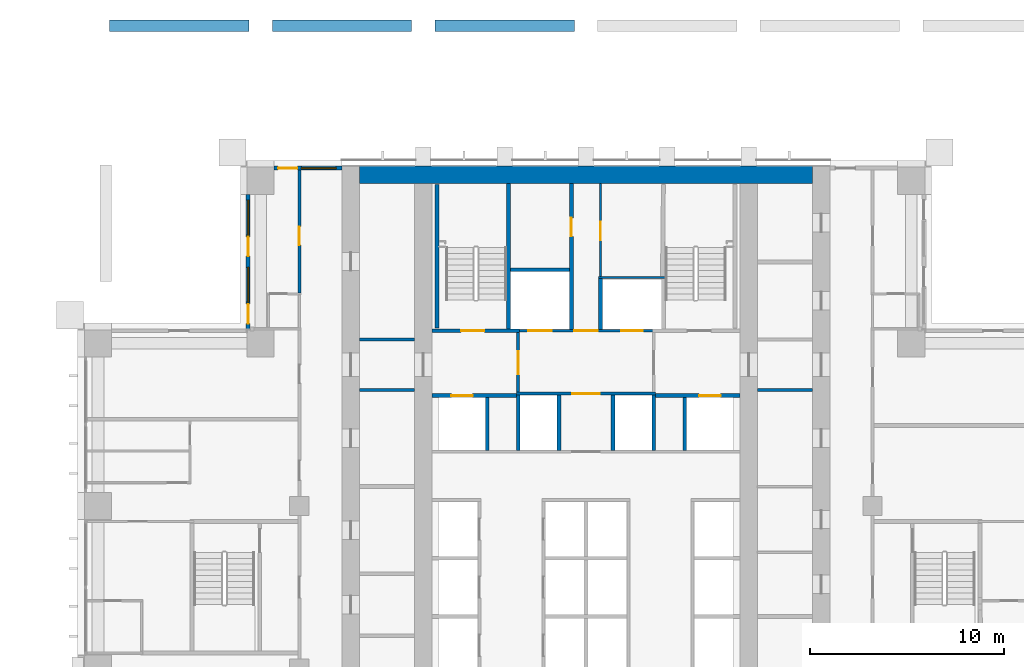
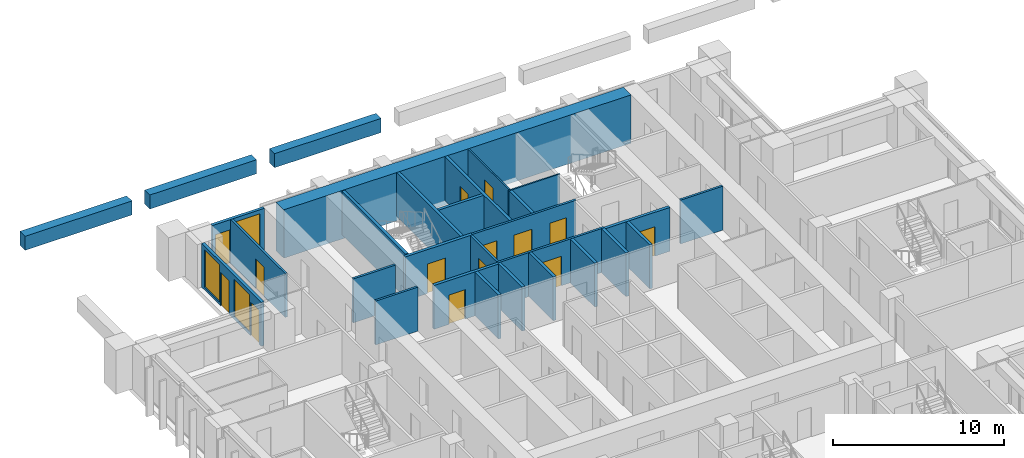
# One storey, part 12 of 18: 29 walls, 14 doors, 3 windows, 17 openings.
"""IFC4 building model written with IfcOpenShell, lengths in metres."""

from ifc_helpers import new_model, si_unit, direction, frame, frame_2d, origin, place, context, subcontext, project, spatial, rectangle, extrude, material, layer, layer_set, type_object, element, fill, save


model = new_model("IFC4")

# Units and contexts
model_context = context("Model", 3, precision=1e-05, world=origin(), true_north=direction((0.0, 1.0)))
body_context = subcontext(model_context, "Body", "Model", "MODEL_VIEW")
ifc_project = project(units=[si_unit("LENGTHUNIT", "METRE"), si_unit("AREAUNIT", "SQUARE_METRE"), si_unit("VOLUMEUNIT", "CUBIC_METRE"), si_unit("PLANEANGLEUNIT", "RADIAN"), si_unit("MASSUNIT", "GRAM", prefix="KILO")], contexts=[model_context])

# Site, building, storey
site_placement = place(None, origin())
site = spatial("IfcSite", under=ifc_project, at=site_placement, CompositionType="ELEMENT")
building_placement = place(site_placement, origin())
building = spatial("IfcBuilding", under=site, at=building_placement, Name="Vermilion Ogive Tower", CompositionType="ELEMENT")
storey_placement = place(building_placement, frame((0.0, 0.0, 34.5)))
storey = spatial("IfcBuildingStorey", under=building, at=storey_placement, Name="L06", CompositionType="ELEMENT", Elevation=34.5)

# Wall
ifc_material_1 = material(Name="Gypsum board partition on steel studs", Category="steel")
ifc_layer_1 = layer(ifc_material_1, 0.10009765625)
ifc_layer_set_1 = layer_set([ifc_layer_1], Name="Partition 100 bath")
wall_type_1 = type_object("IfcWallType", Name="Partition 100 bath", PredefinedType="PARTITIONING", material=ifc_layer_set_1)
wall_1_placement = place(storey_placement, frame((0.64990234375, 16.0, 0.0), z_axis=(0.0, 0.0, 1.0), x_axis=(1.0, 0.0, 0.0)))
element("IfcWall", 1, at=wall_1_placement, inside=storey, type_object=wall_type_1, Name="L06-CK-W-W020", PredefinedType="PARTITIONING", context=body_context, shape_type="SweptSolid", body=[
    extrude(rectangle(XDim=3.4501953125, YDim=0.10009765625, at=frame_2d((1.72509765625, 0.0))), origin(), (0.0, 0.0, 1.0), 3.1298828125),
])

# Wall, opening, door
wall_2_placement = place(storey_placement, frame((0.75, 16.050048828125, 0.0), z_axis=(0.0, 0.0, 1.0), x_axis=(0.0, 1.0, 0.0)))
wall_2 = element("IfcWall", 2, at=wall_2_placement, inside=storey, type_object=wall_type_1, Name="L06-CK-W-W032", PredefinedType="PARTITIONING", context=body_context, shape_type="SweptSolid", body=[
    extrude(rectangle(XDim=4.799072265625, YDim=0.10009765625, at=frame_2d((2.3994140625, 0.0))), origin(), (0.0, 0.0, 1.0), 3.1298828125),
])
opening_1_placement = place(wall_2_placement, frame((1.875, 0.0, 0.0)))
opening_1 = element("IfcOpeningElement", 3, at=opening_1_placement, cuts=wall_2, Name="Opening DAA007", PredefinedType="OPENING", context=body_context, shape_type="SweptSolid", body=[
    extrude(rectangle(XDim=0.949951171875, YDim=2.10009765625, at=frame_2d((0.47509765625, 1.050048828125))), frame((0.0, 0.06005859375, 0.0), z_axis=(0.0, -1.0, 0.0), x_axis=(1.0, 0.0, 0.0)), (0.0, 0.0, 1.0), 0.1201171875),
])
ifc_material_2 = material(Name="Timber door leaf", Category="wood")
door_type_1 = type_object("IfcDoorType", Name="Service door 950 x 2100 FD60", OperationType="SINGLE_SWING_LEFT", PredefinedType="DOOR", material=ifc_material_2)
door_1_placement = place(opening_1_placement, origin())
door_1 = element("IfcDoor", 4, at=door_1_placement, inside=storey, type_object=door_type_1, Name="L06-CK-D-D019", OperationType="SINGLE_SWING_LEFT", OverallHeight=2.10009765625, OverallWidth=0.949951171875, PredefinedType="DOOR", context=body_context, shape_type="SweptSolid", body=[
    extrude(rectangle(XDim=0.949951171875, YDim=2.10009765625, at=frame_2d((0.47509765625, 1.050048828125))), frame((0.0, 0.02490234375, 0.0), z_axis=(0.0, -1.0, 0.0), x_axis=(1.0, 0.0, 0.0)), (0.0, 0.0, 1.0), 0.050048828125),
])
fill(opening_1, door_1)

ifc_material_3 = material(Name="Gypsum board partition on steel studs", Category="steel")
ifc_layer_2 = layer(ifc_material_3, 0.14990234375)
ifc_layer_set_2 = layer_set([ifc_layer_2], Name="Partition 150 corridor")
wall_type_2 = type_object("IfcWallType", Name="Partition 150 corridor", PredefinedType="PARTITIONING", material=ifc_layer_set_2)
wall_3_placement = place(storey_placement, frame((-14.800048828125, 15.199951171875, 0.0), z_axis=(0.0, 0.0, 1.0), x_axis=(0.0, 1.0, 0.0)))
wall_3 = element("IfcWall", 5, at=wall_3_placement, inside=storey, type_object=wall_type_2, Name="L06-W-W044", PredefinedType="PARTITIONING", context=body_context, shape_type="SweptSolid", body=[
    extrude(rectangle(XDim=6.35009765625, YDim=0.14990234375, at=frame_2d((3.175048828125, 0.0))), origin(), (0.0, 0.0, 1.0), 3.1298828125),
])
opening_2_placement = place(wall_3_placement, frame((2.47509765625, 0.0, 0.0)))
opening_2 = element("IfcOpeningElement", 6, at=opening_2_placement, cuts=wall_3, Name="Opening D1G1010", PredefinedType="OPENING", context=body_context, shape_type="SweptSolid", body=[
    extrude(rectangle(XDim=0.949951171875, YDim=2.10009765625, at=frame_2d((0.47509765625, 1.050048828125))), frame((0.0, 0.0849609375, 0.0), z_axis=(0.0, -1.0, 0.0), x_axis=(1.0, 0.0, 0.0)), (0.0, 0.0, 1.0), 0.169921875),
])
ifc_material_4 = material(Name="Timber door leaf", Category="wood")
door_type_2 = type_object("IfcDoorType", Name="Unit door 950 x 2100 FD30S", OperationType="SINGLE_SWING_LEFT", PredefinedType="DOOR", material=ifc_material_4)
door_2_placement = place(opening_2_placement, origin())
door_2 = element("IfcDoor", 7, at=door_2_placement, inside=storey, type_object=door_type_2, Name="L06-D-D010", OperationType="SINGLE_SWING_RIGHT", OverallHeight=2.10009765625, OverallWidth=0.949951171875, PredefinedType="DOOR", context=body_context, shape_type="SweptSolid", body=[
    extrude(rectangle(XDim=0.949951171875, YDim=2.10009765625, at=frame_2d((0.47509765625, 1.050048828125))), frame((0.0, 0.02490234375, 0.0), z_axis=(0.0, -1.0, 0.0), x_axis=(1.0, 0.0, 0.0)), (0.0, 0.0, 1.0), 0.050048828125),
])
fill(opening_2, door_2)

wall_4_placement = place(storey_placement, frame((-3.60009765625, 10.0, 0.0), z_axis=(0.0, 0.0, 1.0), x_axis=(1.0, 0.0, 0.0)))
wall_4 = element("IfcWall", 8, at=wall_4_placement, inside=storey, type_object=wall_type_2, Name="L06-CK-W-W016", PredefinedType="PARTITIONING", context=body_context, shape_type="SweptSolid", body=[
    extrude(rectangle(XDim=7.2001953125, YDim=0.14990234375, at=frame_2d((3.60009765625, 0.0))), origin(), (0.0, 0.0, 1.0), 3.1298828125),
])
opening_3_placement = place(wall_4_placement, frame((2.900146484375, 0.0, 0.0)))
opening_3 = element("IfcOpeningElement", 9, at=opening_3_placement, cuts=wall_4, Name="Opening DAA004", PredefinedType="OPENING", context=body_context, shape_type="SweptSolid", body=[
    extrude(rectangle(XDim=1.39990234375, YDim=2.10009765625, at=frame_2d((0.699951171875, 1.050048828125))), frame((0.0, 0.0849609375, 0.0), z_axis=(0.0, -1.0, 0.0), x_axis=(1.0, 0.0, 0.0)), (0.0, 0.0, 1.0), 0.169921875),
])
ifc_material_5 = material(Name="Timber door leaf", Category="wood")
door_type_3 = type_object("IfcDoorType", Name="Lobby door 1400 x 2100 FD60S", OperationType="SINGLE_SWING_LEFT", PredefinedType="DOOR", material=ifc_material_5)
door_3_placement = place(opening_3_placement, origin())
door_3 = element("IfcDoor", 10, at=door_3_placement, inside=storey, type_object=door_type_3, Name="L06-CK-D-D014", OperationType="SINGLE_SWING_RIGHT", OverallHeight=2.10009765625, OverallWidth=1.39990234375, PredefinedType="DOOR", context=body_context, shape_type="SweptSolid", body=[
    extrude(rectangle(XDim=1.39990234375, YDim=2.10009765625, at=frame_2d((0.699951171875, 1.050048828125))), frame((0.0, 0.02490234375, 0.0), z_axis=(0.0, -1.0, 0.0), x_axis=(1.0, 0.0, 0.0)), (0.0, 0.0, 1.0), 0.050048828125),
])
fill(opening_3, door_3)

# Wall, openings, doors
wall_5_placement = place(storey_placement, frame((-3.574951171875, 13.25, 0.0), z_axis=(0.0, 0.0, 1.0), x_axis=(1.0, 0.0, 0.0)))
wall_5 = element("IfcWall", 11, at=wall_5_placement, inside=storey, type_object=wall_type_2, Name="L06-CK-W-W018", PredefinedType="PARTITIONING", context=body_context, shape_type="SweptSolid", body=[
    extrude(rectangle(XDim=7.14990234375, YDim=0.14990234375, at=frame_2d((3.574951171875, 0.0))), origin(), (0.0, 0.0, 1.0), 3.1298828125),
])
opening_4_placement = place(wall_5_placement, frame((0.599853515625, 0.0, 0.0)))
opening_4 = element("IfcOpeningElement", 12, at=opening_4_placement, cuts=wall_5, Name="Opening DAA021", PredefinedType="OPENING", context=body_context, shape_type="SweptSolid", body=[
    extrude(rectangle(XDim=1.199951171875, YDim=2.10009765625, at=frame_2d((0.60009765625, 1.050048828125))), frame((0.0, 0.0849609375, 0.0), z_axis=(0.0, -1.0, 0.0), x_axis=(1.0, 0.0, 0.0)), (0.0, 0.0, 1.0), 0.169921875),
])
opening_5_placement = place(wall_5_placement, frame((5.39990234375, 0.0, 0.0)))
opening_5 = element("IfcOpeningElement", 13, at=opening_5_placement, cuts=wall_5, Name="Opening DAA012", PredefinedType="OPENING", context=body_context, shape_type="SweptSolid", body=[
    extrude(rectangle(XDim=1.10009765625, YDim=2.10009765625, at=frame_2d((0.550048828125, 1.050048828125))), frame((0.0, 0.0849609375, 0.0), z_axis=(0.0, -1.0, 0.0), x_axis=(1.0, 0.0, 0.0)), (0.0, 0.0, 1.0), 0.169921875),
])
opening_6_placement = place(wall_5_placement, frame((2.974853515625, 0.0, 0.0)))
opening_6 = element("IfcOpeningElement", 14, at=opening_6_placement, cuts=wall_5, Name="Opening DAA005", PredefinedType="OPENING", context=body_context, shape_type="SweptSolid", body=[
    extrude(rectangle(XDim=1.199951171875, YDim=2.10009765625, at=frame_2d((0.60009765625, 1.050048828125))), frame((0.0, 0.0849609375, 0.0), z_axis=(0.0, -1.0, 0.0), x_axis=(1.0, 0.0, 0.0)), (0.0, 0.0, 1.0), 0.169921875),
])
ifc_material_6 = material(Name="Stainless steel", Category="steel")
door_type_4 = type_object("IfcDoorType", Name="Lift landing door 1100 x 2100", OperationType="SLIDING_TO_LEFT", PredefinedType="DOOR", material=ifc_material_6)
door_4_placement = place(opening_5_placement, origin())
door_4 = element("IfcDoor", 15, at=door_4_placement, inside=storey, type_object=door_type_4, Name="L06-CK-D-D016", OperationType="SLIDING_TO_LEFT", OverallHeight=2.10009765625, OverallWidth=1.10009765625, PredefinedType="DOOR", context=body_context, shape_type="SweptSolid", body=[
    extrude(rectangle(XDim=1.10009765625, YDim=2.10009765625, at=frame_2d((0.550048828125, 1.050048828125))), frame((0.0, 0.02490234375, 0.0), z_axis=(0.0, -1.0, 0.0), x_axis=(1.0, 0.0, 0.0)), (0.0, 0.0, 1.0), 0.050048828125),
])
fill(opening_5, door_4)
ifc_material_7 = material(Name="Stainless steel", Category="steel")
door_type_5 = type_object("IfcDoorType", Name="Lift landing door 1200 x 2100", OperationType="SLIDING_TO_LEFT", PredefinedType="DOOR", material=ifc_material_7)
door_5_placement = place(opening_4_placement, origin())
door_5 = element("IfcDoor", 16, at=door_5_placement, inside=storey, type_object=door_type_5, Name="L06-CK-D-D015", OperationType="SLIDING_TO_RIGHT", OverallHeight=2.10009765625, OverallWidth=1.199951171875, PredefinedType="DOOR", context=body_context, shape_type="SweptSolid", body=[
    extrude(rectangle(XDim=1.199951171875, YDim=2.10009765625, at=frame_2d((0.60009765625, 1.050048828125))), frame((0.0, 0.02490234375, 0.0), z_axis=(0.0, -1.0, 0.0), x_axis=(1.0, 0.0, 0.0)), (0.0, 0.0, 1.0), 0.050048828125),
])
fill(opening_4, door_5)
ifc_material_8 = material(Name="Timber door leaf", Category="wood")
door_type_6 = type_object("IfcDoorType", Name="Service door 1200 x 2100 FD60", OperationType="SINGLE_SWING_LEFT", PredefinedType="DOOR", material=ifc_material_8)
door_6_placement = place(opening_6_placement, origin())
door_6 = element("IfcDoor", 17, at=door_6_placement, inside=storey, type_object=door_type_6, Name="L06-CK-D-D017", OperationType="SINGLE_SWING_RIGHT", OverallHeight=2.10009765625, OverallWidth=1.199951171875, PredefinedType="DOOR", context=body_context, shape_type="SweptSolid", body=[
    extrude(rectangle(XDim=1.199951171875, YDim=2.10009765625, at=frame_2d((0.60009765625, 1.050048828125))), frame((0.0, 0.02490234375, 0.0), z_axis=(0.0, -1.0, 0.0), x_axis=(1.0, 0.0, 0.0)), (0.0, 0.0, 1.0), 0.050048828125),
])
fill(opening_6, door_6)

# Wall, opening, door
wall_6_placement = place(storey_placement, frame((-3.5, 10.074951171875, 0.0), z_axis=(0.0, 0.0, 1.0), x_axis=(0.0, 1.0, 0.0)))
wall_6 = element("IfcWall", 18, at=wall_6_placement, inside=storey, type_object=wall_type_2, Name="L06-CK-W-W026", PredefinedType="PARTITIONING", context=body_context, shape_type="SweptSolid", body=[
    extrude(rectangle(XDim=3.074951171875, YDim=0.14990234375, at=frame_2d((1.53759765625, 0.0))), origin(), (0.0, 0.0, 1.0), 3.1298828125),
])
opening_7_placement = place(wall_6_placement, frame((0.925048828125, 0.0, 0.0)))
opening_7 = element("IfcOpeningElement", 19, at=opening_7_placement, cuts=wall_6, Name="Opening DAA001", PredefinedType="OPENING", context=body_context, shape_type="SweptSolid", body=[
    extrude(rectangle(XDim=1.199951171875, YDim=2.10009765625, at=frame_2d((0.60009765625, 1.050048828125))), frame((0.0, 0.0849609375, 0.0), z_axis=(0.0, -1.0, 0.0), x_axis=(1.0, 0.0, 0.0)), (0.0, 0.0, 1.0), 0.169921875),
])
ifc_material_9 = material(Name="Timber door leaf", Category="wood")
door_type_7 = type_object("IfcDoorType", Name="Lobby door 1200 x 2100 FD60S", OperationType="SINGLE_SWING_LEFT", PredefinedType="DOOR", material=ifc_material_9)
door_7_placement = place(opening_7_placement, origin())
door_7 = element("IfcDoor", 20, at=door_7_placement, inside=storey, type_object=door_type_7, Name="L06-CK-D-D020", OperationType="SINGLE_SWING_RIGHT", OverallHeight=2.10009765625, OverallWidth=1.199951171875, PredefinedType="DOOR", context=body_context, shape_type="SweptSolid", body=[
    extrude(rectangle(XDim=1.199951171875, YDim=2.10009765625, at=frame_2d((0.60009765625, 1.050048828125))), frame((0.0, 0.02490234375, 0.0), z_axis=(0.0, -1.0, 0.0), x_axis=(1.0, 0.0, 0.0)), (0.0, 0.0, 1.0), 0.050048828125),
])
fill(opening_7, door_7)

# Walls
for number, where, z_axis, x_axis, name in (
    (21, (-11.698974609375, 10.199951171875, 0.0), (0.0, 0.0, 1.0), (1.0, 0.0, 0.0), "L06-CKW-W-W004"),
    (22, (-11.698974609375, 12.800048828125, 0.0), (0.0, 0.0, 1.0), (1.0, 0.0, 0.0), "L06-CKW-W-W005"),
    (23, (8.85107421875, 10.199951171875, 0.0), (0.0, 0.0, 1.0), (1.0, 0.0, 0.0), "L06-CKE-W-W004"),
):
    element("IfcWall", number, at=place(storey_placement, frame(where, z_axis=z_axis, x_axis=x_axis)), inside=storey, type_object=wall_type_2, Name=name, PredefinedType="PARTITIONING", context=body_context, shape_type="SweptSolid", body=[
        extrude(rectangle(XDim=2.847900390625, YDim=0.14990234375, at=frame_2d((1.423828125, 0.0))), origin(), (0.0, 0.0, 1.0), 3.1298828125),
    ])

# Wall, opening, door
ifc_material_10 = material(Name="Gypsum board partition on steel studs", Category="steel")
ifc_layer_3 = layer(ifc_material_10, 0.199951171875)
ifc_layer_set_3 = layer_set([ifc_layer_3], Name="Partition 200 party")
wall_type_3 = type_object("IfcWallType", Name="Partition 200 party", PredefinedType="PARTITIONING", material=ifc_layer_set_3)
wall_7_placement = place(storey_placement, frame((-7.948974609375, 9.89990234375, 0.0), z_axis=(0.0, 0.0, 1.0), x_axis=(1.0, 0.0, 0.0)))
wall_7 = element("IfcWall", 24, at=wall_7_placement, inside=storey, type_object=wall_type_3, Name="L06-CK-W-W014", PredefinedType="PARTITIONING", context=body_context, shape_type="SweptSolid", body=[
    extrude(rectangle(XDim=4.348876953125, YDim=0.199951171875, at=frame_2d((2.17431640625, 0.0))), origin(), (0.0, 0.0, 1.0), 3.1298828125),
])
opening_8_placement = place(wall_7_placement, frame((0.9990234375, 0.0, 0.0)))
opening_8 = element("IfcOpeningElement", 25, at=opening_8_placement, cuts=wall_7, Name="Opening DAA020", PredefinedType="OPENING", context=body_context, shape_type="SweptSolid", body=[
    extrude(rectangle(XDim=1.10009765625, YDim=2.10009765625, at=frame_2d((0.550048828125, 1.050048828125))), frame((0.0, 0.10986328125, 0.0), z_axis=(0.0, -1.0, 0.0), x_axis=(1.0, 0.0, 0.0)), (0.0, 0.0, 1.0), 0.219970703125),
])
door_8_placement = place(opening_8_placement, origin())
door_8 = element("IfcDoor", 26, at=door_8_placement, inside=storey, type_object=door_type_4, Name="L06-CK-D-D010", OperationType="SLIDING_TO_RIGHT", OverallHeight=2.10009765625, OverallWidth=1.10009765625, PredefinedType="DOOR", context=body_context, shape_type="SweptSolid", body=[
    extrude(rectangle(XDim=1.10009765625, YDim=2.10009765625, at=frame_2d((0.550048828125, 1.050048828125))), frame((0.0, 0.02490234375, 0.0), z_axis=(0.0, -1.0, 0.0), x_axis=(1.0, 0.0, 0.0)), (0.0, 0.0, 1.0), 0.050048828125),
])
fill(opening_8, door_8)

wall_8_placement = place(storey_placement, frame((3.60009765625, 9.89990234375, 0.0), z_axis=(0.0, 0.0, 1.0), x_axis=(1.0, 0.0, 0.0)))
wall_8 = element("IfcWall", 27, at=wall_8_placement, inside=storey, type_object=wall_type_3, Name="L06-CK-W-W015", PredefinedType="PARTITIONING", context=body_context, shape_type="SweptSolid", body=[
    extrude(rectangle(XDim=4.348876953125, YDim=0.199951171875, at=frame_2d((2.17431640625, 0.0))), origin(), (0.0, 0.0, 1.0), 3.1298828125),
])
opening_9_placement = place(wall_8_placement, frame((2.25, 0.0, 0.0)))
opening_9 = element("IfcOpeningElement", 28, at=opening_9_placement, cuts=wall_8, Name="Opening DAA011", PredefinedType="OPENING", context=body_context, shape_type="SweptSolid", body=[
    extrude(rectangle(XDim=1.10009765625, YDim=2.10009765625, at=frame_2d((0.550048828125, 1.050048828125))), frame((0.0, 0.10986328125, 0.0), z_axis=(0.0, -1.0, 0.0), x_axis=(1.0, 0.0, 0.0)), (0.0, 0.0, 1.0), 0.219970703125),
])
door_9_placement = place(opening_9_placement, origin())
door_9 = element("IfcDoor", 29, at=door_9_placement, inside=storey, type_object=door_type_4, Name="L06-CK-D-D012", OperationType="SLIDING_TO_LEFT", OverallHeight=2.10009765625, OverallWidth=1.10009765625, PredefinedType="DOOR", context=body_context, shape_type="SweptSolid", body=[
    extrude(rectangle(XDim=1.10009765625, YDim=2.10009765625, at=frame_2d((0.550048828125, 1.050048828125))), frame((0.0, 0.02490234375, 0.0), z_axis=(0.0, -1.0, 0.0), x_axis=(1.0, 0.0, 0.0)), (0.0, 0.0, 1.0), 0.050048828125),
])
fill(opening_9, door_9)

# Walls
wall_9_placement = place(storey_placement, frame((-3.89990234375, 16.39990234375, 0.0), z_axis=(0.0, 0.0, 1.0), x_axis=(1.0, 0.0, 0.0)))
element("IfcWall", 30, at=wall_9_placement, inside=storey, type_object=wall_type_3, Name="L06-CK-W-W021", PredefinedType="PARTITIONING", context=body_context, shape_type="SweptSolid", body=[
    extrude(rectangle(XDim=3.0498046875, YDim=0.199951171875, at=frame_2d((1.52490234375, 0.0))), origin(), (0.0, 0.0, 1.0), 3.1298828125),
])
wall_10_placement = place(storey_placement, frame((-5.10009765625, 7.074951171875, 0.0), z_axis=(0.0, 0.0, 1.0), x_axis=(0.0, 1.0, 0.0)))
element("IfcWall", 31, at=wall_10_placement, inside=storey, type_object=wall_type_3, Name="L06-CK-W-W023", PredefinedType="PARTITIONING", context=body_context, shape_type="SweptSolid", body=[
    extrude(rectangle(XDim=2.72509765625, YDim=0.199951171875, at=frame_2d((1.362548828125, 0.0))), origin(), (0.0, 0.0, 1.0), 3.1298828125),
])
for number, where, z_axis, x_axis, name in (
    (32, (-3.5, 7.074951171875, 0.0), (0.0, 0.0, 1.0), (0.0, 1.0, 0.0), "L06-CK-W-W025"),
    (33, (-1.39990234375, 7.074951171875, 0.0), (0.0, 0.0, 1.0), (0.0, 1.0, 0.0), "L06-CK-W-W028"),
):
    element("IfcWall", number, at=place(storey_placement, frame(where, z_axis=z_axis, x_axis=x_axis)), inside=storey, type_object=wall_type_3, Name=name, PredefinedType="PARTITIONING", context=body_context, shape_type="SweptSolid", body=[
        extrude(rectangle(XDim=2.85009765625, YDim=0.199951171875, at=frame_2d((1.425048828125, 0.0))), origin(), (0.0, 0.0, 1.0), 3.1298828125),
    ])

# Wall, opening, door
wall_11_placement = place(storey_placement, frame((-0.75, 13.324951171875, 0.0), z_axis=(0.0, 0.0, 1.0), x_axis=(0.0, 1.0, 0.0)))
wall_11 = element("IfcWall", 34, at=wall_11_placement, inside=storey, type_object=wall_type_3, Name="L06-CK-W-W029", PredefinedType="PARTITIONING", context=body_context, shape_type="SweptSolid", body=[
    extrude(rectangle(XDim=7.524169921875, YDim=0.199951171875, at=frame_2d((3.76220703125, 0.0))), origin(), (0.0, 0.0, 1.0), 3.1298828125),
])
opening_10_placement = place(wall_11_placement, frame((4.800048828125, 0.0, 0.0)))
opening_10 = element("IfcOpeningElement", 35, at=opening_10_placement, cuts=wall_11, Name="Opening DAA006", PredefinedType="OPENING", context=body_context, shape_type="SweptSolid", body=[
    extrude(rectangle(XDim=0.949951171875, YDim=2.10009765625, at=frame_2d((0.47509765625, 1.050048828125))), frame((0.0, 0.10986328125, 0.0), z_axis=(0.0, -1.0, 0.0), x_axis=(1.0, 0.0, 0.0)), (0.0, 0.0, 1.0), 0.219970703125),
])
door_10_placement = place(opening_10_placement, origin())
door_10 = element("IfcDoor", 36, at=door_10_placement, inside=storey, type_object=door_type_1, Name="L06-CK-D-D018", OperationType="SINGLE_SWING_RIGHT", OverallHeight=2.10009765625, OverallWidth=0.949951171875, PredefinedType="DOOR", context=body_context, shape_type="SweptSolid", body=[
    extrude(rectangle(XDim=0.949951171875, YDim=2.10009765625, at=frame_2d((0.47509765625, 1.050048828125))), frame((0.0, 0.02490234375, 0.0), z_axis=(0.0, -1.0, 0.0), x_axis=(1.0, 0.0, 0.0)), (0.0, 0.0, 1.0), 0.050048828125),
])
fill(opening_10, door_10)

# Walls
wall_12_placement = place(storey_placement, frame((0.75, 13.324951171875, 0.0), z_axis=(0.0, 0.0, 1.0), x_axis=(0.0, 1.0, 0.0)))
element("IfcWall", 37, at=wall_12_placement, inside=storey, type_object=wall_type_3, Name="L06-CK-W-W031", PredefinedType="PARTITIONING", context=body_context, shape_type="SweptSolid", body=[
    extrude(rectangle(XDim=2.625, YDim=0.199951171875, at=frame_2d((1.3125, 0.0))), origin(), (0.0, 0.0, 1.0), 3.1298828125),
])
for number, where, z_axis, x_axis, name in (
    (38, (1.39990234375, 7.074951171875, 0.0), (0.0, 0.0, 1.0), (0.0, 1.0, 0.0), "L06-CK-W-W033"),
    (39, (3.5, 7.074951171875, 0.0), (0.0, 0.0, 1.0), (0.0, 1.0, 0.0), "L06-CK-W-W035"),
):
    element("IfcWall", number, at=place(storey_placement, frame(where, z_axis=z_axis, x_axis=x_axis)), inside=storey, type_object=wall_type_3, Name=name, PredefinedType="PARTITIONING", context=body_context, shape_type="SweptSolid", body=[
        extrude(rectangle(XDim=2.85009765625, YDim=0.199951171875, at=frame_2d((1.425048828125, 0.0))), origin(), (0.0, 0.0, 1.0), 3.1298828125),
    ])
wall_13_placement = place(storey_placement, frame((5.10009765625, 7.074951171875, 0.0), z_axis=(0.0, 0.0, 1.0), x_axis=(0.0, 1.0, 0.0)))
element("IfcWall", 40, at=wall_13_placement, inside=storey, type_object=wall_type_3, Name="L06-CK-W-W039", PredefinedType="PARTITIONING", context=body_context, shape_type="SweptSolid", body=[
    extrude(rectangle(XDim=2.72509765625, YDim=0.199951171875, at=frame_2d((1.362548828125, 0.0))), origin(), (0.0, 0.0, 1.0), 3.1298828125),
])
ifc_material_11 = material(Name="Concrete B60", Category="concrete")
ifc_layer_4 = layer(ifc_material_11, 0.199951171875)
ifc_layer_set_4 = layer_set([ifc_layer_4], Name="Stair shaft wall 200 Concrete B60")
wall_type_4 = type_object("IfcWallType", Name="Stair shaft wall 200 Concrete B60", PredefinedType="SOLIDWALL", material=ifc_layer_set_4)
wall_14_placement = place(storey_placement, frame((-11.699951171875, 21.300048828125, -0.320068359375), z_axis=(0.0, 0.0, 1.0), x_axis=(1.0, 0.0, 0.0)))
element("IfcWall", 41, at=wall_14_placement, inside=storey, type_object=wall_type_4, Name="L06-CORE-N", PredefinedType="SOLIDWALL", context=body_context, shape_type="SweptSolid", body=[
    extrude(rectangle(XDim=23.39990234375, YDim=0.89990234375, at=frame_2d((11.699951171875, 0.0))), origin(), (0.0, 0.0, 1.0), 3.449951171875),
])

# Wall, opening, door
wall_15_placement = place(storey_placement, frame((-7.948974609375, 13.25, 0.0), z_axis=(0.0, 0.0, 1.0), x_axis=(1.0, 0.0, 0.0)))
wall_15 = element("IfcWall", 42, at=wall_15_placement, inside=storey, type_object=wall_type_4, Name="L06-CK-W-W017", PredefinedType="SOLIDWALL", context=body_context, shape_type="SweptSolid", body=[
    extrude(rectangle(XDim=4.52392578125, YDim=0.199951171875, at=frame_2d((2.261962890625, 0.0))), origin(), (0.0, 0.0, 1.0), 3.1298828125),
])
opening_11_placement = place(wall_15_placement, frame((1.4990234375, 0.0, 0.0)))
opening_11 = element("IfcOpeningElement", 43, at=opening_11_placement, cuts=wall_15, Name="Opening DAA008", PredefinedType="OPENING", context=body_context, shape_type="SweptSolid", body=[
    extrude(rectangle(XDim=1.199951171875, YDim=2.10009765625, at=frame_2d((0.60009765625, 1.050048828125))), frame((0.0, 0.10986328125, 0.0), z_axis=(0.0, -1.0, 0.0), x_axis=(1.0, 0.0, 0.0)), (0.0, 0.0, 1.0), 0.219970703125),
])
ifc_material_12 = material(Name="Timber door leaf", Category="wood")
door_type_8 = type_object("IfcDoorType", Name="Stair door 1200 x 2100 FD60S", OperationType="SINGLE_SWING_LEFT", PredefinedType="DOOR", material=ifc_material_12)
door_11_placement = place(opening_11_placement, origin())
door_11 = element("IfcDoor", 44, at=door_11_placement, inside=storey, type_object=door_type_8, Name="L06-CK-D-D009", OperationType="SINGLE_SWING_LEFT", OverallHeight=2.10009765625, OverallWidth=1.199951171875, PredefinedType="DOOR", context=body_context, shape_type="SweptSolid", body=[
    extrude(rectangle(XDim=1.199951171875, YDim=2.10009765625, at=frame_2d((0.60009765625, 1.050048828125))), frame((0.0, 0.02490234375, 0.0), z_axis=(0.0, -1.0, 0.0), x_axis=(1.0, 0.0, 0.0)), (0.0, 0.0, 1.0), 0.050048828125),
])
fill(opening_11, door_11)

# Walls
wall_16_placement = place(storey_placement, frame((-4.0, 13.35009765625, 0.0), z_axis=(0.0, 0.0, 1.0), x_axis=(0.0, 1.0, 0.0)))
element("IfcWall", 45, at=wall_16_placement, inside=storey, type_object=wall_type_4, Name="L06-CK-W-W024", PredefinedType="SOLIDWALL", context=body_context, shape_type="SweptSolid", body=[
    extrude(rectangle(XDim=7.4990234375, YDim=0.199951171875, at=frame_2d((3.74951171875, 0.0))), origin(), (0.0, 0.0, 1.0), 3.1298828125),
])
wall_17_placement = place(storey_placement, frame((-7.699951171875, 13.39990234375, 0.0), z_axis=(0.0, 0.0, 1.0), x_axis=(0.0, 1.0, 0.0)))
element("IfcWall", 46, at=wall_17_placement, inside=storey, type_object=wall_type_4, Name="L06-SW-R021-W1", PredefinedType="SOLIDWALL", context=body_context, shape_type="SweptSolid", body=[
    extrude(rectangle(XDim=7.400146484375, YDim=0.199951171875, at=frame_2d((3.7001953125, 0.0))), origin(), (0.0, 0.0, 1.0), 3.1298828125),
])
ifc_material_13 = material(Name="Concrete B40", Category="concrete")
ifc_layer_5 = layer(ifc_material_13, 0.60009765625)
ifc_layer_set_5 = layer_set([ifc_layer_5], Name="Terrace planter")
wall_type_5 = type_object("IfcWallType", Name="Terrace planter", PredefinedType="USERDEFINED", material=ifc_layer_set_5)
wall_18_placement = place(storey_placement, frame((-24.60009765625, 29.0, 0.0), z_axis=(0.0, 0.0, 1.0), x_axis=(1.0, 0.0, 0.0)))
element("IfcWall", 47, at=wall_18_placement, inside=storey, type_object=wall_type_5, Name="Terrace planter 2.1.2", ObjectType="PLANTER", PredefinedType="USERDEFINED", context=body_context, shape_type="SweptSolid", body=[
    extrude(rectangle(XDim=7.2001953125, YDim=0.60009765625, at=frame_2d((3.60009765625, 0.0))), origin(), (0.0, 0.0, 1.0), 1.0),
])
for number, where, z_axis, x_axis, name in (
    (48, (-16.199951171875, 29.0, 0.0), (0.0, 0.0, 1.0), (1.0, 0.0, 0.0), "Terrace planter 2.1.3"),
    (49, (-7.800048828125, 29.0, 0.0), (0.0, 0.0, 1.0), (1.0, 0.0, 0.0), "Terrace planter 2.1.4"),
):
    element("IfcWall", number, at=place(storey_placement, frame(where, z_axis=z_axis, x_axis=x_axis)), inside=storey, type_object=wall_type_5, Name=name, ObjectType="PLANTER", PredefinedType="USERDEFINED", context=body_context, shape_type="SweptSolid", body=[
        extrude(rectangle(XDim=7.199951171875, YDim=0.60009765625, at=frame_2d((3.60009765625, 0.0))), origin(), (0.0, 0.0, 1.0), 1.0),
    ])

# Wall, openings, door, window
ifc_material_14 = material(Name="Aluminium window wall framing", Category="aluminium")
ifc_layer_6 = layer(ifc_material_14, 0.199951171875)
ifc_layer_set_6 = layer_set([ifc_layer_6], Name="Window wall")
wall_type_6 = type_object("IfcWallType", Name="Window wall", PredefinedType="STANDARD", material=ifc_layer_set_6)
wall_19_placement = place(storey_placement, frame((-12.60009765625, 21.64990234375, 0.0), z_axis=(0.0, 0.0, 1.0), x_axis=(-1.0, 0.0, 0.0)))
wall_19 = element("IfcWall", 50, at=wall_19_placement, inside=storey, type_object=wall_type_6, Name="Window wall N21", PredefinedType="STANDARD", context=body_context, shape_type="SweptSolid", body=[
    extrude(rectangle(XDim=3.5, YDim=0.199951171875, at=frame_2d((1.75, 0.0))), origin(), (0.0, 0.0, 1.0), 3.1298828125),
])
opening_12_placement = place(wall_19_placement, frame((0.300048828125, 0.0, 0.199951171875)))
opening_12 = element("IfcOpeningElement", 51, at=opening_12_placement, cuts=wall_19, Name="Opening W1-N296", PredefinedType="OPENING", context=body_context, shape_type="SweptSolid", body=[
    extrude(rectangle(XDim=1.800048828125, YDim=2.64990234375, at=frame_2d((0.89990234375, 1.324951171875))), frame((0.0, 0.10986328125, 0.0), z_axis=(0.0, -1.0, 0.0), x_axis=(1.0, 0.0, 0.0)), (0.0, 0.0, 1.0), 0.219970703125),
])
opening_13_placement = place(wall_19_placement, frame((2.300048828125, 0.0, 0.0)))
opening_13 = element("IfcOpeningElement", 52, at=opening_13_placement, cuts=wall_19, Name="Opening D1-N296", PredefinedType="OPENING", context=body_context, shape_type="SweptSolid", body=[
    extrude(rectangle(XDim=1.0, YDim=2.39990234375, at=frame_2d((0.5, 1.199951171875))), frame((0.0, 0.10986328125, 0.0), z_axis=(0.0, -1.0, 0.0), x_axis=(1.0, 0.0, 0.0)), (0.0, 0.0, 1.0), 0.219970703125),
])
ifc_material_15 = material(Name="Aluminium framed glazed door", Category="aluminium")
door_type_9 = type_object("IfcDoorType", Name="Balcony door D1", OperationType="SINGLE_SWING_LEFT", PredefinedType="DOOR", material=ifc_material_15)
door_12_placement = place(opening_13_placement, origin())
door_12 = element("IfcDoor", 53, at=door_12_placement, inside=storey, type_object=door_type_9, Name="Balcony door N296", OperationType="SINGLE_SWING_LEFT", OverallHeight=2.39990234375, OverallWidth=1.0, PredefinedType="DOOR", context=body_context, shape_type="SweptSolid", body=[
    extrude(rectangle(XDim=1.0, YDim=2.39990234375, at=frame_2d((0.5, 1.199951171875))), frame((0.0, 0.02490234375, 0.0), z_axis=(0.0, -1.0, 0.0), x_axis=(1.0, 0.0, 0.0)), (0.0, 0.0, 1.0), 0.050048828125),
])
fill(opening_13, door_12)
ifc_material_16 = material(Name="Aluminium framed double glazing", Category="aluminium")
window_type = type_object("IfcWindowType", Name="Guest window W1", PartitioningType="SINGLE_PANEL", PredefinedType="WINDOW", material=ifc_material_16)
window_1_placement = place(opening_12_placement, origin())
window_1 = element("IfcWindow", 54, at=window_1_placement, inside=storey, type_object=window_type, Name="Window N296", OverallHeight=2.64990234375, OverallWidth=1.800048828125, PartitioningType="SINGLE_PANEL", PredefinedType="WINDOW", context=body_context, shape_type="SweptSolid", body=[
    extrude(rectangle(XDim=1.800048828125, YDim=2.64990234375, at=frame_2d((0.89990234375, 1.324951171875))), frame((0.0, 0.030029296875, 0.0), z_axis=(0.0, -1.0, 0.0), x_axis=(1.0, 0.0, 0.0)), (0.0, 0.0, 1.0), 0.06005859375),
])
fill(opening_12, window_1)

# Wall, openings, doors, windows
wall_20_placement = place(storey_placement, frame((-17.449951171875, 20.300048828125, 0.0), z_axis=(0.0, 0.0, 1.0), x_axis=(0.0, -1.0, 0.0)))
wall_20 = element("IfcWall", 55, at=wall_20_placement, inside=storey, type_object=wall_type_6, Name="Window wall X51", PredefinedType="STANDARD", context=body_context, shape_type="SweptSolid", body=[
    extrude(rectangle(XDim=6.949951171875, YDim=0.199951171875, at=frame_2d((3.47509765625, 0.0))), origin(), (0.0, 0.0, 1.0), 3.1298828125),
])
opening_14_placement = place(wall_20_placement, frame((3.77490234375, 0.0, 0.199951171875)))
opening_14 = element("IfcOpeningElement", 56, at=opening_14_placement, cuts=wall_20, Name="Opening W1-X503", PredefinedType="OPENING", context=body_context, shape_type="SweptSolid", body=[
    extrude(rectangle(XDim=1.800048828125, YDim=2.64990234375, at=frame_2d((0.89990234375, 1.324951171875))), frame((0.0, 0.10986328125, 0.0), z_axis=(0.0, -1.0, 0.0), x_axis=(1.0, 0.0, 0.0)), (0.0, 0.0, 1.0), 0.219970703125),
])
opening_15_placement = place(wall_20_placement, frame((5.675048828125, 0.0, 0.0)))
opening_15 = element("IfcOpeningElement", 57, at=opening_15_placement, cuts=wall_20, Name="Opening D1-X503", PredefinedType="OPENING", context=body_context, shape_type="SweptSolid", body=[
    extrude(rectangle(XDim=1.0, YDim=2.39990234375, at=frame_2d((0.5, 1.199951171875))), frame((0.0, 0.10986328125, 0.0), z_axis=(0.0, -1.0, 0.0), x_axis=(1.0, 0.0, 0.0)), (0.0, 0.0, 1.0), 0.219970703125),
])
opening_16_placement = place(wall_20_placement, frame((0.300048828125, 0.0, 0.199951171875)))
opening_16 = element("IfcOpeningElement", 58, at=opening_16_placement, cuts=wall_20, Name="Opening W1-X504", PredefinedType="OPENING", context=body_context, shape_type="SweptSolid", body=[
    extrude(rectangle(XDim=1.800048828125, YDim=2.64990234375, at=frame_2d((0.89990234375, 1.324951171875))), frame((0.0, 0.10986328125, 0.0), z_axis=(0.0, -1.0, 0.0), x_axis=(1.0, 0.0, 0.0)), (0.0, 0.0, 1.0), 0.219970703125),
])
opening_17_placement = place(wall_20_placement, frame((2.199951171875, 0.0, 0.0)))
opening_17 = element("IfcOpeningElement", 59, at=opening_17_placement, cuts=wall_20, Name="Opening D1-X504", PredefinedType="OPENING", context=body_context, shape_type="SweptSolid", body=[
    extrude(rectangle(XDim=1.0, YDim=2.39990234375, at=frame_2d((0.5, 1.199951171875))), frame((0.0, 0.10986328125, 0.0), z_axis=(0.0, -1.0, 0.0), x_axis=(1.0, 0.0, 0.0)), (0.0, 0.0, 1.0), 0.219970703125),
])
door_13_placement = place(opening_15_placement, origin())
door_13 = element("IfcDoor", 60, at=door_13_placement, inside=storey, type_object=door_type_9, Name="Balcony door X503", OperationType="SINGLE_SWING_LEFT", OverallHeight=2.39990234375, OverallWidth=1.0, PredefinedType="DOOR", context=body_context, shape_type="SweptSolid", body=[
    extrude(rectangle(XDim=1.0, YDim=2.39990234375, at=frame_2d((0.5, 1.199951171875))), frame((0.0, 0.02490234375, 0.0), z_axis=(0.0, -1.0, 0.0), x_axis=(1.0, 0.0, 0.0)), (0.0, 0.0, 1.0), 0.050048828125),
])
fill(opening_15, door_13)
door_14_placement = place(opening_17_placement, origin())
door_14 = element("IfcDoor", 61, at=door_14_placement, inside=storey, type_object=door_type_9, Name="Balcony door X504", OperationType="SINGLE_SWING_LEFT", OverallHeight=2.39990234375, OverallWidth=1.0, PredefinedType="DOOR", context=body_context, shape_type="SweptSolid", body=[
    extrude(rectangle(XDim=1.0, YDim=2.39990234375, at=frame_2d((0.5, 1.199951171875))), frame((0.0, 0.02490234375, 0.0), z_axis=(0.0, -1.0, 0.0), x_axis=(1.0, 0.0, 0.0)), (0.0, 0.0, 1.0), 0.050048828125),
])
fill(opening_17, door_14)
window_2_placement = place(opening_14_placement, origin())
window_2 = element("IfcWindow", 62, at=window_2_placement, inside=storey, type_object=window_type, Name="Window X503", OverallHeight=2.64990234375, OverallWidth=1.800048828125, PartitioningType="SINGLE_PANEL", PredefinedType="WINDOW", context=body_context, shape_type="SweptSolid", body=[
    extrude(rectangle(XDim=1.800048828125, YDim=2.64990234375, at=frame_2d((0.89990234375, 1.324951171875))), frame((0.0, 0.030029296875, 0.0), z_axis=(0.0, -1.0, 0.0), x_axis=(1.0, 0.0, 0.0)), (0.0, 0.0, 1.0), 0.06005859375),
])
fill(opening_14, window_2)
window_3_placement = place(opening_16_placement, origin())
window_3 = element("IfcWindow", 63, at=window_3_placement, inside=storey, type_object=window_type, Name="Window X504", OverallHeight=2.64990234375, OverallWidth=1.800048828125, PartitioningType="SINGLE_PANEL", PredefinedType="WINDOW", context=body_context, shape_type="SweptSolid", body=[
    extrude(rectangle(XDim=1.800048828125, YDim=2.64990234375, at=frame_2d((0.89990234375, 1.324951171875))), frame((0.0, 0.030029296875, 0.0), z_axis=(0.0, -1.0, 0.0), x_axis=(1.0, 0.0, 0.0)), (0.0, 0.0, 1.0), 0.06005859375),
])
fill(opening_16, window_3)

save(model, "model.ifc")
